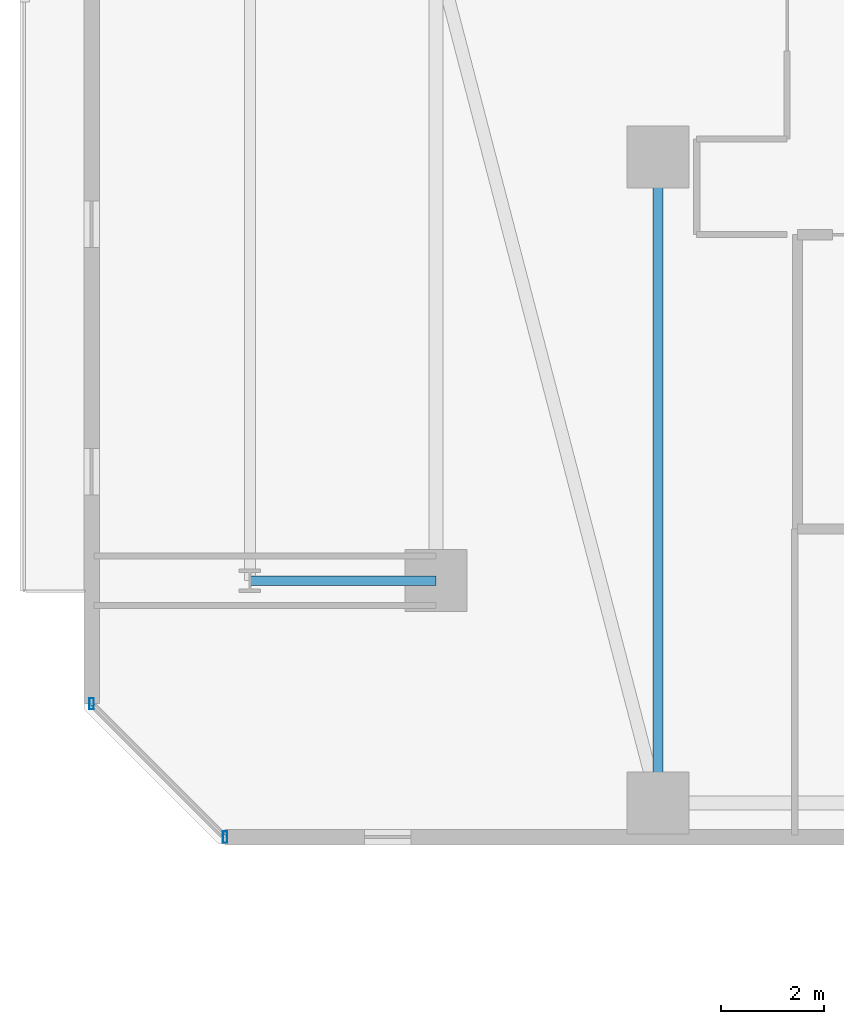
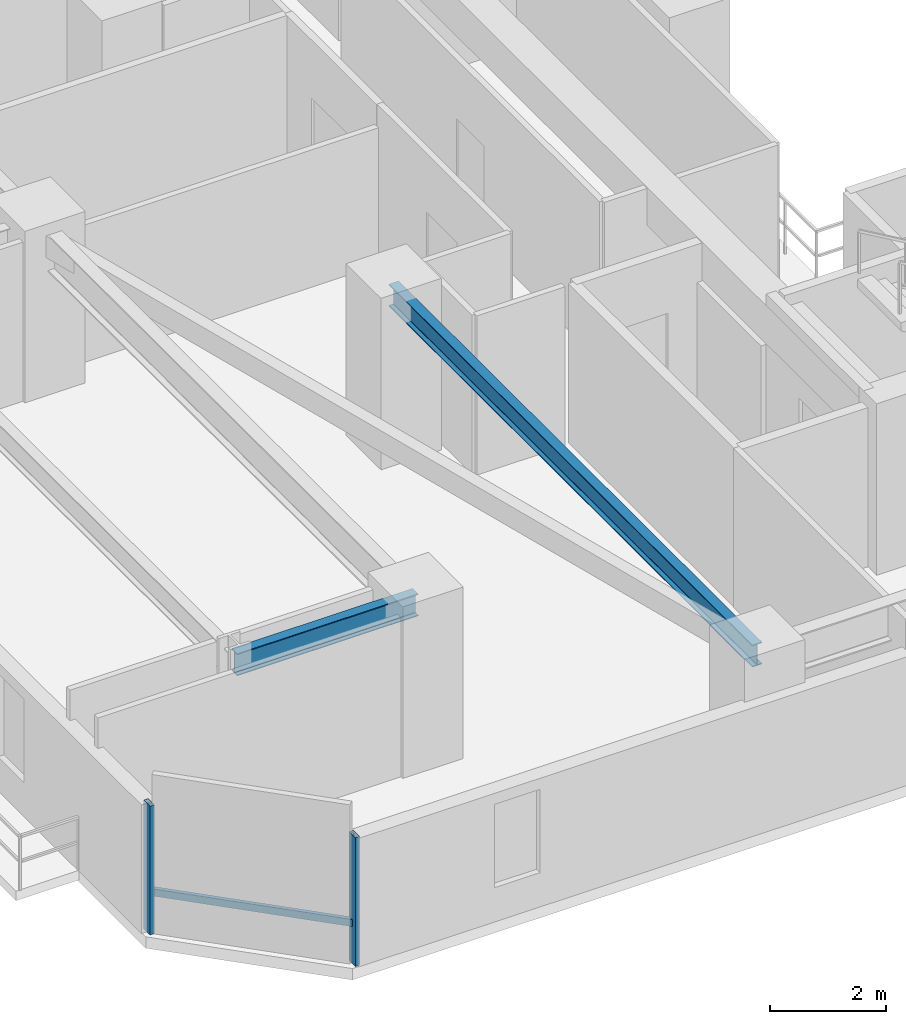
# One storey, part 3 of 33: 3 members, 2 beams, 1 element without a shape of its own.
"""IFC4 building model written with IfcOpenShell, lengths in metres."""

import ifcopenshell
import ifcopenshell.guid

model = None  # the IFC model being written
_history = None  # IfcOwnerHistory: only IFC2X3 demands one
_inside = {}  # id of a spatial element -> (the spatial element, [elements in it])
_under = {}  # id of a project, library or spatial element -> (it, [spatial elements below it])
_declared = {}  # id of a project -> (the project, [libraries it declares])
_typed = {}  # id of a type object -> (the type object, [elements of that type])
_made_of = {}  # id of a material, layer set ... -> (it, [elements and type objects made of it])


def new_model(schema):
    """Start an empty IFC model of exactly this schema.

    Asked for "IFC4X3", IfcOpenShell would pick the latest addendum, in which some entities
    have other attributes; the version numbers below select the first issue.
    IFC2X3 requires an IfcOwnerHistory on every rooted entity: one is made here for all.
    """
    global model, _history
    if schema == "IFC4X3":
        model = ifcopenshell.file(schema_version=(4, 3, 0, 0))
    else:
        model = ifcopenshell.file(schema=schema)
    _inside.clear()
    _under.clear()
    _declared.clear()
    _typed.clear()
    _made_of.clear()
    _history = None
    if model.schema == "IFC2X3":
        org = make("IfcOrganization", Name="unknown")
        user = make(
            "IfcPersonAndOrganization",
            ThePerson=make("IfcPerson", FamilyName="unknown"),
            TheOrganization=org,
        )
        app = make(
            "IfcApplication",
            ApplicationDeveloper=org,
            Version="unknown",
            ApplicationFullName="unknown",
            ApplicationIdentifier="unknown",
        )
        _history = make(
            "IfcOwnerHistory",
            OwningUser=user,
            OwningApplication=app,
            ChangeAction="ADDED",
            CreationDate=0,
        )
    return model


def make(cls, **values):
    """One entity of the class cls with the attributes given. An attribute that is None is left unset."""
    return model.create_entity(
        cls, **{name: value for name, value in values.items() if value is not None}
    )


def rooted(cls, **values):
    """An entity with a GlobalId (a new one), such as an element, a storey or a relation."""
    return make(cls, GlobalId=ifcopenshell.guid.new(), OwnerHistory=_history, **values)


def si_unit(unit_type, name, prefix=None):
    """IfcSIUnit, for example si_unit("LENGTHUNIT", "METRE", prefix="MILLI")."""
    return make("IfcSIUnit", UnitType=unit_type, Prefix=prefix, Name=name)


def assignment(units):
    """IfcUnitAssignment: the units of a project."""
    return None if units is None else make("IfcUnitAssignment", Units=units)


def point(xyz):
    """IfcCartesianPoint."""
    return None if xyz is None else make("IfcCartesianPoint", Coordinates=xyz)


def direction(xyz):
    """IfcDirection."""
    return None if xyz is None else make("IfcDirection", DirectionRatios=xyz)


def frame(location, z_axis=None, x_axis=None):
    """IfcAxis2Placement3D, a coordinate frame: its origin and axes. An axis left out is left unset."""
    return make(
        "IfcAxis2Placement3D",
        Location=point(location),
        Axis=direction(z_axis),
        RefDirection=direction(x_axis),
    )


def frame_2d(location, x_axis=None):
    """IfcAxis2Placement2D, a coordinate frame in the plane: its origin and x axis."""
    return make(
        "IfcAxis2Placement2D", Location=point(location), RefDirection=direction(x_axis)
    )


def origin():
    """The frame at (0, 0, 0) with its axes left unset."""
    return frame((0.0, 0.0, 0.0))


def origin_2d():
    """The frame at (0, 0) in the plane with its x axis left unset."""
    return frame_2d((0.0, 0.0))


def place(relative_to, where):
    """IfcLocalPlacement: puts the frame where relative to a parent placement (None: the world)."""
    return make(
        "IfcLocalPlacement", PlacementRelTo=relative_to, RelativePlacement=where
    )


def context(
    kind, dimensions, precision=None, world=None, true_north=None, identifier=None
):
    """IfcGeometricRepresentationContext, for example the 3D "Model" context."""
    return make(
        "IfcGeometricRepresentationContext",
        ContextIdentifier=identifier,
        ContextType=kind,
        CoordinateSpaceDimension=dimensions,
        Precision=precision,
        WorldCoordinateSystem=world,
        TrueNorth=true_north,
    )


def subcontext(parent, identifier, kind, view, scale=None):
    """IfcGeometricRepresentationSubContext, for example "Body" below "Model"."""
    return make(
        "IfcGeometricRepresentationSubContext",
        ContextIdentifier=identifier,
        ContextType=kind,
        ParentContext=parent,
        TargetScale=scale,
        TargetView=view,
    )


def project(units=None, contexts=None):
    """IfcProject with its units and contexts."""
    return rooted(
        "IfcProject",
        Name="project",
        RepresentationContexts=contexts,
        UnitsInContext=assignment(units),
    )


def spatial(cls, under=None, at=None, **own):
    """A site, building, storey or space (cls), placed at a placement, below another one or the project."""
    s = rooted(cls, ObjectPlacement=at, **own)
    if under is not None:
        _under.setdefault(under.id(), (under, []))[1].append(s)
    return s


def profile(cls, at=None, kind="AREA", **sizes):
    """A parametric profile (cls). Its sizes go by their IFC names, for example OverallWidth=200.0."""
    return make(cls, ProfileType=kind, Position=at, **sizes)


def hollow_rectangle(**sizes):
    """IfcRectangleHollowProfileDef."""
    return profile("IfcRectangleHollowProfileDef", **sizes)


def i_section(**sizes):
    """IfcIShapeProfileDef."""
    return profile("IfcIShapeProfileDef", **sizes)


def extrude(swept, where, along, depth):
    """IfcExtrudedAreaSolid: the profile swept, set in the frame where, extruded along a direction by depth."""
    return make(
        "IfcExtrudedAreaSolid",
        SweptArea=swept,
        Position=where,
        ExtrudedDirection=direction(along),
        Depth=depth,
    )


def shape(context_of_items, identifier, shape_type, items):
    """IfcShapeRepresentation: the items that make up one representation, for example the "Body"."""
    return make(
        "IfcShapeRepresentation",
        ContextOfItems=context_of_items,
        RepresentationIdentifier=identifier,
        RepresentationType=shape_type,
        Items=items,
    )


def material(Name=None, Category=None):
    """IfcMaterial."""
    return make("IfcMaterial", Name=Name, Category=Category)


def material_profile(
    of_material, cross_section, Name=None, Category=None, Priority=None
):
    """IfcMaterialProfile: a cross section and its material."""
    return make(
        "IfcMaterialProfile",
        Name=Name,
        Material=of_material,
        Profile=cross_section,
        Priority=Priority,
        Category=Category,
    )


def profile_set(profiles, Name=None, composite=None):
    """IfcMaterialProfileSet."""
    return make(
        "IfcMaterialProfileSet",
        Name=Name,
        MaterialProfiles=profiles,
        CompositeProfile=composite,
    )


def made_of(thing, what):
    """Note that an element or type object is made of a material, layer set ...; save() writes the relation."""
    if what is not None:
        _made_of.setdefault(what.id(), (what, []))[1].append(thing)
    return thing


def type_object(cls, material=None, **own):
    """A type object (cls), such as IfcWallType, which elements share."""
    return made_of(rooted(cls, **own), material)


def element(
    cls,
    number,
    at=None,
    inside=None,
    cuts=None,
    type_object=None,
    material=None,
    context=None,
    identifier="Body",
    shape_type=None,
    held_by="IfcProductDefinitionShape",
    body=None,
    shapes=None,
    **own,
):
    """One element of the class cls, such as IfcWall. Its Tag is "e" and its number.

    at: its placement. inside: the storey or other place that contains it. cuts: it is an
    opening in that element (IfcRelVoidsElement). A single representation is given by context,
    identifier, shape_type and body (its items); several are given by shapes. held_by: the class
    of the entity that holds the representations. save() writes the other relations.
    """
    e = rooted(cls, Tag="e%d" % number, ObjectPlacement=at, **own)
    if body is not None:
        shapes = [shape(context, identifier, shape_type, body)]
    if shapes is not None:
        e.Representation = make(held_by, Representations=shapes)
    if inside is not None:
        _inside.setdefault(inside.id(), (inside, []))[1].append(e)
    if cuts is not None:
        rooted(
            "IfcRelVoidsElement", RelatingBuildingElement=cuts, RelatedOpeningElement=e
        )
    if type_object is not None:
        _typed.setdefault(type_object.id(), (type_object, []))[1].append(e)
    return made_of(e, material)


def aggregate(whole, parts):
    """IfcRelAggregates: a whole, such as a stair, and the parts it consists of."""
    return rooted("IfcRelAggregates", RelatingObject=whole, RelatedObjects=parts)


def save(model, path):
    """Write the relations noted so far, then the file.

    IfcRelAggregates (storeys below a building ...), IfcRelContainedInSpatialStructure (elements
    in a storey), IfcRelDefinesByType, IfcRelAssociatesMaterial and IfcRelDeclares: one each for
    every whole, place, type object, material and project.
    """
    for whole, parts in _under.values():
        aggregate(whole, parts)
    for where, things in _inside.values():
        rooted(
            "IfcRelContainedInSpatialStructure",
            RelatedElements=things,
            RelatingStructure=where,
        )
    for kind, things in _typed.values():
        rooted("IfcRelDefinesByType", RelatedObjects=things, RelatingType=kind)
    for what, things in _made_of.values():
        rooted("IfcRelAssociatesMaterial", RelatedObjects=things, RelatingMaterial=what)
    for by, libraries in _declared.values():
        rooted("IfcRelDeclares", RelatingContext=by, RelatedDefinitions=libraries)
    model.write(path)


model = new_model("IFC4")

# Units and contexts
model_context = context("Model", 3, precision=1e-05, world=origin(), true_north=direction((0.0, 1.0)))
body_context = subcontext(model_context, "Body", "Model", "MODEL_VIEW")
ifc_project = project(units=[si_unit("LENGTHUNIT", "METRE"), si_unit("AREAUNIT", "SQUARE_METRE"), si_unit("VOLUMEUNIT", "CUBIC_METRE"), si_unit("PLANEANGLEUNIT", "RADIAN"), si_unit("MASSUNIT", "GRAM", prefix="KILO")], contexts=[model_context])

# Site, building, storey
site_placement = place(None, origin())
site = spatial("IfcSite", under=ifc_project, at=site_placement, CompositionType="ELEMENT")
building_placement = place(site_placement, origin())
building = spatial("IfcBuilding", under=site, at=building_placement, Name="Thornwick Lancets Civic Towers", CompositionType="ELEMENT")
storey_placement = place(building_placement, frame((0.0, 0.0, 112.5)))
storey = spatial("IfcBuildingStorey", under=building, at=storey_placement, Name="L29", CompositionType="ELEMENT", Elevation=112.5)

# Beams
ifc_material_1 = material(Name="Steel S355JR", Category="steel")
ifc_material_profile_1 = material_profile(ifc_material_1, i_section(OverallWidth=0.19189453125, OverallDepth=0.46337890625, WebThickness=0.010498046875, FlangeThickness=0.017578125, FilletRadius=0.01025390625, at=origin_2d()), Name="UKB 457x191x89")
ifc_profile_set_1 = profile_set([ifc_material_profile_1], Name="Steel S355JR")
beam_type = type_object("IfcBeamType", Name="BM_JOIST_457_89", PredefinedType="JOIST", material=ifc_profile_set_1)
beam_1_placement = place(storey_placement, frame((12.5, 22.199951171875, 3.12841796875), z_axis=(0.0, -1.0, 0.0), x_axis=(1.0, 0.0, 0.0)))
element("IfcBeam", 1, at=beam_1_placement, inside=storey, type_object=beam_type, Name="BM-RADIN-L29-A01", PredefinedType="JOIST", context=body_context, shape_type="SweptSolid", body=[
    extrude(i_section(OverallWidth=0.19189453125, OverallDepth=0.46337890625, WebThickness=0.010498046875, FlangeThickness=0.017578125, FilletRadius=0.01025390625, at=origin_2d()), origin(), (0.0, 0.0, 1.0), 12.5),
])
beam_2_placement = place(storey_placement, frame((8.199951171875, 14.0, 3.12841796875), z_axis=(-1.0, 0.0, 0.0), x_axis=(0.0, -1.0, 0.0)))
element("IfcBeam", 2, at=beam_2_placement, inside=storey, type_object=beam_type, Name="BM-RAD-L29-A10", PredefinedType="JOIST", context=body_context, shape_type="SweptSolid", body=[
    extrude(i_section(OverallWidth=0.19189453125, OverallDepth=0.46337890625, WebThickness=0.010498046875, FlangeThickness=0.017578125, FilletRadius=0.01025390625, at=origin_2d()), origin(), (0.0, 0.0, 1.0), 3.599853515625),
])

# Curtain wall, members
ifc_material_2 = material(Name="Low-zone chamfered-corner unitised glass curtain wall", Category="glass")
curtain_wall_type = type_object("IfcCurtainWallType", Name="CW_SYS_03", PredefinedType="NOTDEFINED", material=ifc_material_2)
curtain_wall_placement = place(storey_placement, origin())
curtain_wall = element("IfcCurtainWall", 3, at=curtain_wall_placement, inside=storey, type_object=curtain_wall_type, Name="L29 Curtain Wall CW-L29-A-E7", PredefinedType="NOTDEFINED")
ifc_material_3 = material(Name="Thermally broken bronze aluminium S355", Category="steel")
ifc_material_profile_2 = material_profile(ifc_material_3, hollow_rectangle(XDim=0.090087890625, YDim=0.219970703125, WallThickness=0.00634765625, at=origin_2d()), Name="RHS 220x90x6.3")
ifc_profile_set_2 = profile_set([ifc_material_profile_2], Name="Thermally broken bronze aluminium S355")
member_type_1 = type_object("IfcMemberType", Name="CW_MUL_220", PredefinedType="MULLION", material=ifc_profile_set_2)
member_1_placement = place(storey_placement, frame((1.535400390625, 11.61865234375, 0.0), z_axis=(0.0, 0.0, 1.0), x_axis=(1.0, 0.0, 0.0)))
member_1 = element("IfcMember", 4, at=member_1_placement, type_object=member_type_1, Name="CW-L29-A-E7 Mullion 0", PredefinedType="MULLION", context=body_context, shape_type="SweptSolid", body=[
    extrude(hollow_rectangle(XDim=0.090087890625, YDim=0.219970703125, WallThickness=0.00634765625, at=origin_2d()), origin(), (0.0, 0.0, 1.0), 2.699951171875),
])
member_2_placement = place(storey_placement, frame((4.11865234375, 9.035400390625, 0.0), z_axis=(0.0, 0.0, 1.0), x_axis=(1.0, 0.0, 0.0)))
member_2 = element("IfcMember", 5, at=member_2_placement, type_object=member_type_1, Name="CW-L29-A-E7 Mullion 1", PredefinedType="MULLION", context=body_context, shape_type="SweptSolid", body=[
    extrude(hollow_rectangle(XDim=0.090087890625, YDim=0.219970703125, WallThickness=0.00634765625, at=origin_2d()), origin(), (0.0, 0.0, 1.0), 2.699951171875),
])
ifc_material_profile_3 = material_profile(ifc_material_3, hollow_rectangle(XDim=0.074951171875, YDim=0.14990234375, WallThickness=0.0048828125, at=origin_2d()), Name="RHS 150x75x5")
ifc_profile_set_3 = profile_set([ifc_material_profile_3], Name="Thermally broken bronze aluminium S355")
member_type_2 = type_object("IfcMemberType", Name="CW_TRN_150", PredefinedType="USERDEFINED", material=ifc_profile_set_3)
member_3_placement = place(storey_placement, frame((1.54931640625, 11.6044921875, 0.85009765625), z_axis=(0.707106781187, -0.707106781187, 0.0), x_axis=(0.707106781187, 0.707106781187, 0.0)))
member_3 = element("IfcMember", 6, at=member_3_placement, type_object=member_type_2, Name="CW-L29-A-E7 Transom 0", ObjectType="TRANSOM", PredefinedType="USERDEFINED", context=body_context, shape_type="SweptSolid", body=[
    extrude(hollow_rectangle(XDim=0.074951171875, YDim=0.14990234375, WallThickness=0.0048828125, at=origin_2d()), origin(), (0.0, 0.0, 1.0), 3.613525390625),
])
aggregate(curtain_wall, [member_1, member_2, member_3])

save(model, "model.ifc")
